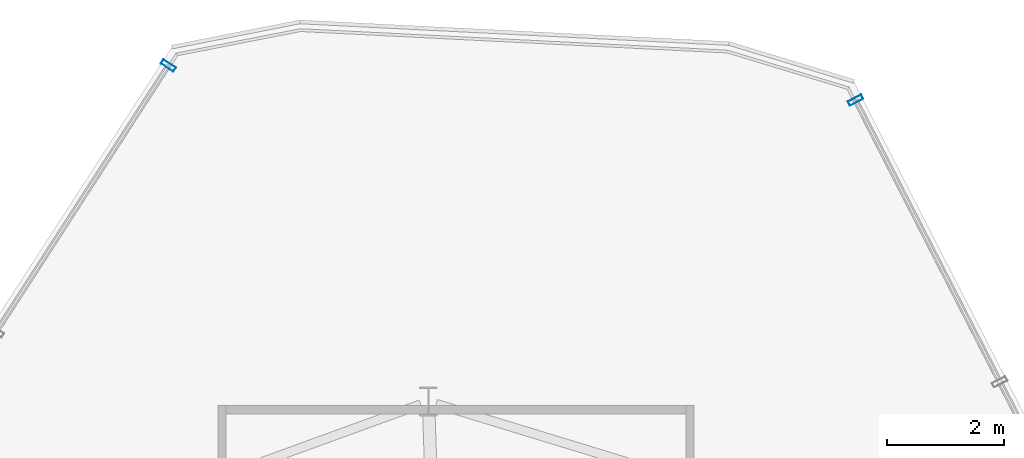
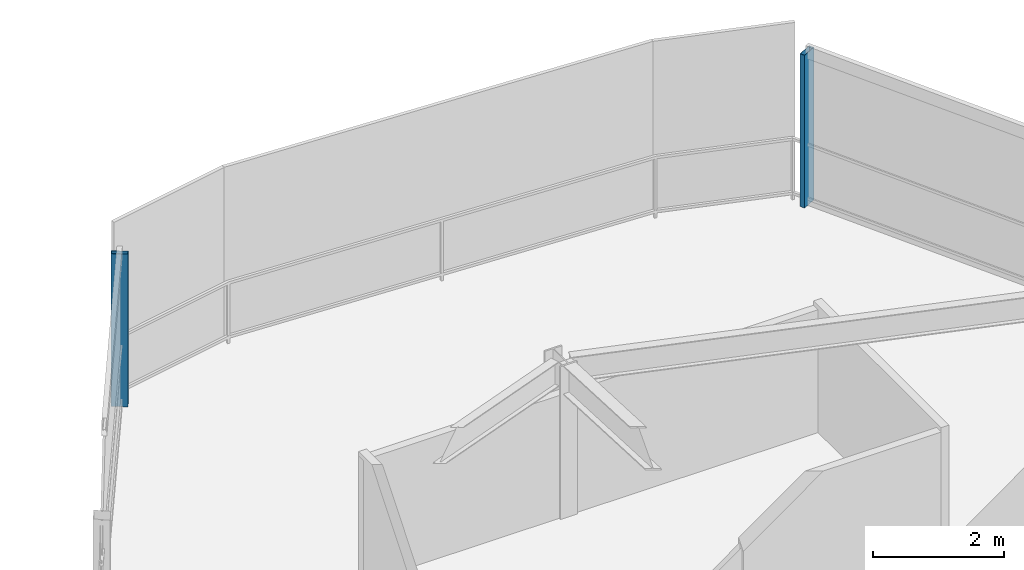
# One storey, part 12 of 16: 2 members, 2 elements without a shape of their own.
"""IFC4 building model written with IfcOpenShell, lengths in metres."""

from ifc_helpers import new_model, si_unit, direction, frame, origin, origin_2d, place, context, subcontext, project, spatial, hollow_rectangle, extrude, material, layer, layer_set, material_profile, profile_set, type_object, element, aggregate, save


model = new_model("IFC4")

# Units and contexts
model_context = context("Model", 3, precision=1e-05, world=origin(), true_north=direction((0.0, 1.0)))
body_context = subcontext(model_context, "Body", "Model", "MODEL_VIEW")
ifc_project = project(units=[si_unit("LENGTHUNIT", "METRE"), si_unit("AREAUNIT", "SQUARE_METRE"), si_unit("VOLUMEUNIT", "CUBIC_METRE"), si_unit("PLANEANGLEUNIT", "RADIAN"), si_unit("MASSUNIT", "GRAM", prefix="KILO")], contexts=[model_context])

# Site, building, storey
site_placement = place(None, origin())
site = spatial("IfcSite", under=ifc_project, at=site_placement, CompositionType="ELEMENT")
building_placement = place(site_placement, origin())
building = spatial("IfcBuilding", under=site, at=building_placement, Name="Qarnah Convention Tower", CompositionType="ELEMENT")
storey_placement = place(building_placement, frame((0.0, 0.0, 283.5)))
storey = spatial("IfcBuildingStorey", under=building, at=storey_placement, Name="L76", CompositionType="ELEMENT", Elevation=283.5)

# Curtain wall, member
ifc_material_1 = material(Name="Tempered Low-E dark glass", Category="glass")
ifc_layer = layer(ifc_material_1, 0.177978515625)
ifc_layer_set = layer_set([ifc_layer], Name="Tempered Low-E dark glass")
curtain_wall_type = type_object("IfcCurtainWallType", Name="CWS-06", PredefinedType="NOTDEFINED", material=ifc_layer_set)
curtain_wall_1_placement = place(storey_placement, origin())
curtain_wall_1 = element("IfcCurtainWall", 1, at=curtain_wall_1_placement, inside=storey, type_object=curtain_wall_type, Name="L76 unitised curtain wall CW-L76-F1", PredefinedType="NOTDEFINED")
ifc_material_2 = material(Name="Black anodised aluminium", Category="aluminium")
ifc_material_profile = material_profile(ifc_material_2, hollow_rectangle(XDim=0.0849609375, YDim=0.260009765625, WallThickness=0.006103515625, at=origin_2d()), Name="MUL-85X260")
ifc_profile_set = profile_set([ifc_material_profile], Name="Black anodised aluminium")
member_type = type_object("IfcMemberType", Name="MUL-T6", PredefinedType="MULLION", material=ifc_profile_set)
member_1_placement = place(storey_placement, frame((44.029052734375, 45.093017578125, 0.0), z_axis=(0.0, 0.0, 1.0), x_axis=(0.455858014655, -0.890052509954, 0.0)))
member_1 = element("IfcMember", 2, at=member_1_placement, type_object=member_type, Name="CW-L76-F1 mullion 1", PredefinedType="MULLION", context=body_context, shape_type="SweptSolid", body=[
    extrude(hollow_rectangle(XDim=0.0849609375, YDim=0.260009765625, WallThickness=0.006103515625, at=origin_2d()), origin(), (0.0, 0.0, 1.0), 2.840087890625),
])
aggregate(curtain_wall_1, [member_1])

curtain_wall_2_placement = place(storey_placement, origin())
curtain_wall_2 = element("IfcCurtainWall", 3, at=curtain_wall_2_placement, inside=storey, type_object=curtain_wall_type, Name="L76 unitised curtain wall CW-L76-F3", PredefinedType="NOTDEFINED")
member_2_placement = place(storey_placement, frame((32.281005859375, 45.68408203125, 0.0), z_axis=(0.0, 0.0, 1.0), x_axis=(0.542871059337, 0.839816058988, 0.0)))
member_2 = element("IfcMember", 4, at=member_2_placement, type_object=member_type, Name="CW-L76-F3 mullion 6", PredefinedType="MULLION", context=body_context, shape_type="SweptSolid", body=[
    extrude(hollow_rectangle(XDim=0.0849609375, YDim=0.260009765625, WallThickness=0.006103515625, at=origin_2d()), origin(), (0.0, 0.0, 1.0), 2.840087890625),
])
aggregate(curtain_wall_2, [member_2])

save(model, "model.ifc")
